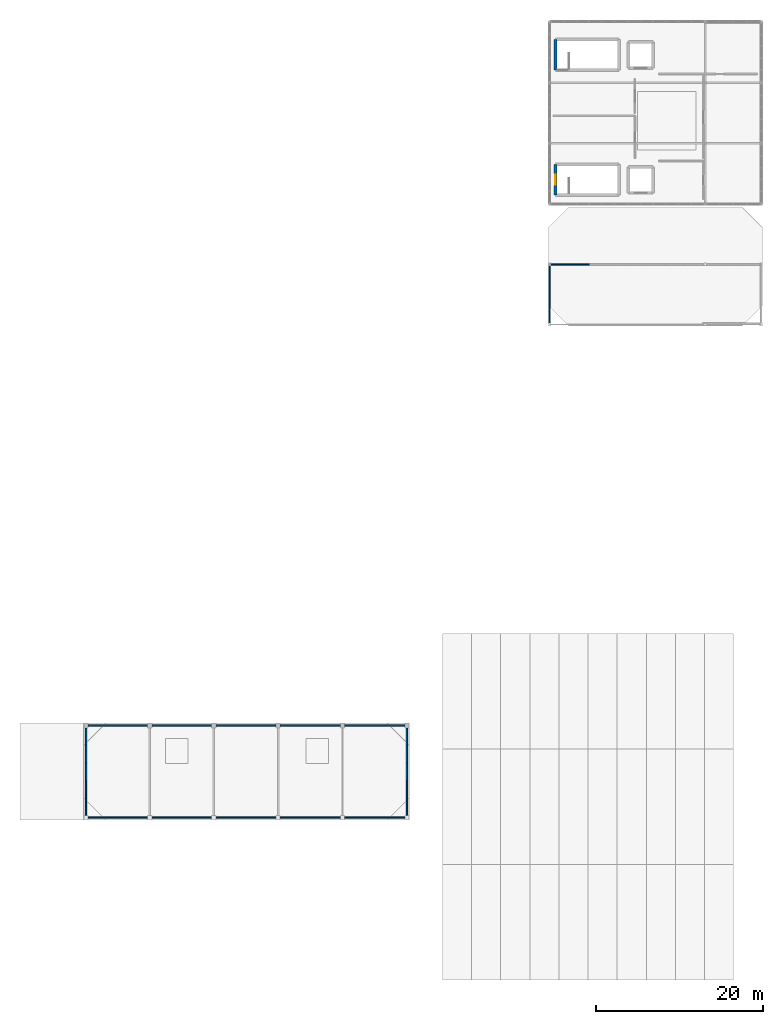
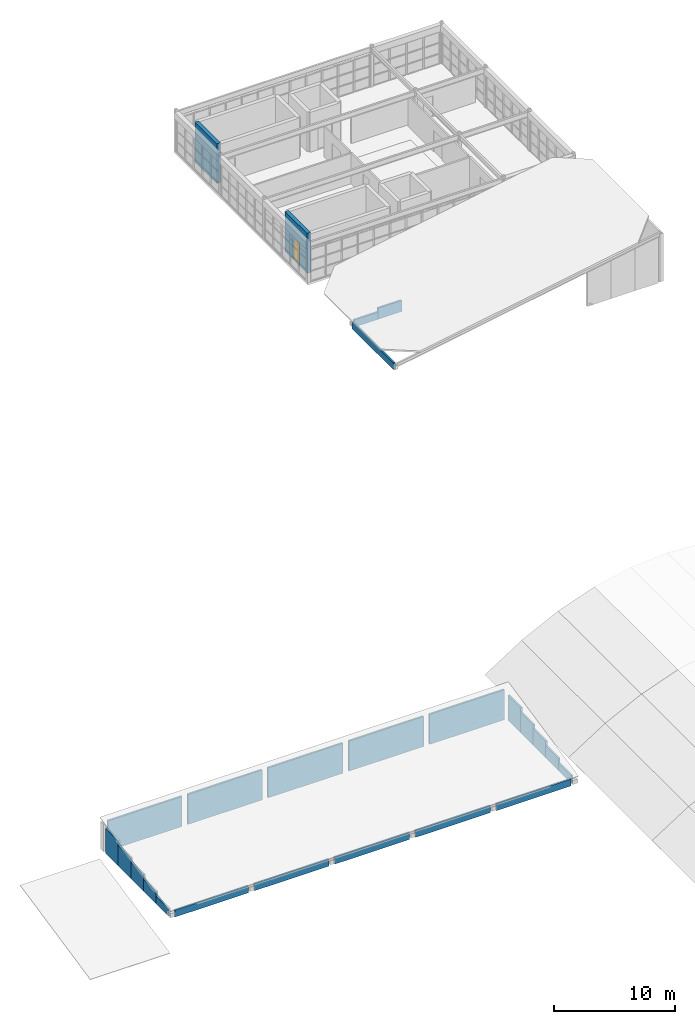
# One storey, part 17 of 19: 25 walls, 1 door, 1 opening.
"""IFC4 building model written with IfcOpenShell, lengths in metres."""

from ifc_helpers import new_model, si_unit, direction, frame, frame_2d, origin, place, context, subcontext, project, spatial, rectangle, extrude, material, layer, layer_set, type_object, element, fill, save


model = new_model("IFC4")

# Units and contexts
model_context = context("Model", 3, precision=1e-05, world=origin(), true_north=direction((0.0, 1.0)))
body_context = subcontext(model_context, "Body", "Model", "MODEL_VIEW")
ifc_project = project(units=[si_unit("LENGTHUNIT", "METRE"), si_unit("AREAUNIT", "SQUARE_METRE"), si_unit("VOLUMEUNIT", "CUBIC_METRE"), si_unit("PLANEANGLEUNIT", "RADIAN"), si_unit("MASSUNIT", "GRAM", prefix="KILO")], contexts=[model_context])

# Site, building, storey
site_placement = place(None, origin())
site = spatial("IfcSite", under=ifc_project, at=site_placement, CompositionType="ELEMENT")
building_placement = place(site_placement, origin())
building = spatial("IfcBuilding", under=site, at=building_placement, Name="Candilejo Ridge Gondola Terminal", CompositionType="ELEMENT")
storey_placement = place(building_placement, frame((0.0, 0.0, 22.800048828125)))
storey = spatial("IfcBuildingStorey", under=building, at=storey_placement, Name="L05", CompositionType="ELEMENT", Elevation=22.800048828125)

# Walls
ifc_material_1 = material(Name="Concrete f'c 35 MPa (C35/45)", Category="concrete")
ifc_layer_1 = layer(ifc_material_1, 0.179931640625)
ifc_layer_set_1 = layer_set([ifc_layer_1], Name="ARC-PARAPET-WALL-180")
wall_type_1 = type_object("IfcWallType", Name="ARC-PARAPET-WALL-180", PredefinedType="PARAPET", material=ifc_layer_set_1)
wall_1_placement = place(storey_placement, frame((94.8798828125, 25.699951171875, -0.199951171875), z_axis=(0.0, 0.0, 1.0), x_axis=(1.0, 0.0, 0.0)))
element("IfcWall", 1, at=wall_1_placement, inside=storey, type_object=wall_type_1, Name="Roof perimeter gable/spandrel wall L05-057", PredefinedType="PARAPET", context=body_context, shape_type="SweptSolid", body=[
    extrude(rectangle(XDim=7.0400390625, YDim=0.179931640625, at=frame_2d((3.52001953125, 0.0))), origin(), (0.0, 0.0, 1.0), 0.6943359375),
])
wall_2_placement = place(storey_placement, frame((102.47998046875, 25.699951171875, -0.199951171875), z_axis=(0.0, 0.0, 1.0), x_axis=(1.0, 0.0, 0.0)))
element("IfcWall", 2, at=wall_2_placement, inside=storey, type_object=wall_type_1, Name="Roof perimeter gable/spandrel wall L05-058", PredefinedType="PARAPET", context=body_context, shape_type="SweptSolid", body=[
    extrude(rectangle(XDim=7.090087890625, YDim=0.179931640625, at=frame_2d((3.544921875, 0.0))), origin(), (0.0, 0.0, 1.0), 0.6943359375),
])
wall_3_placement = place(storey_placement, frame((110.1298828125, 25.699951171875, -0.199951171875), z_axis=(0.0, 0.0, 1.0), x_axis=(1.0, 0.0, 0.0)))
element("IfcWall", 3, at=wall_3_placement, inside=storey, type_object=wall_type_1, Name="Roof perimeter gable/spandrel wall L05-059", PredefinedType="PARAPET", context=body_context, shape_type="SweptSolid", body=[
    extrude(rectangle(XDim=7.14013671875, YDim=0.179931640625, at=frame_2d((3.570068359375, 0.0))), origin(), (0.0, 0.0, 1.0), 0.6943359375),
])
for number, where, z_axis, x_axis, name in (
    (4, (117.830078125, 25.699951171875, -0.199951171875), (0.0, 0.0, 1.0), (1.0, 0.0, 0.0), "Roof perimeter gable/spandrel wall L05-060"),
    (5, (125.530029296875, 25.699951171875, -0.199951171875), (0.0, 0.0, 1.0), (1.0, 0.0, 0.0), "Roof perimeter gable/spandrel wall L05-061"),
):
    element("IfcWall", number, at=place(storey_placement, frame(where, z_axis=z_axis, x_axis=x_axis)), inside=storey, type_object=wall_type_1, Name=name, PredefinedType="PARAPET", context=body_context, shape_type="SweptSolid", body=[
        extrude(rectangle(XDim=7.139892578125, YDim=0.179931640625, at=frame_2d((3.56982421875, 0.0))), origin(), (0.0, 0.0, 1.0), 0.6943359375),
    ])
wall_4_placement = place(storey_placement, frame((94.8798828125, 36.699951171875, -0.199951171875), z_axis=(0.0, 0.0, 1.0), x_axis=(1.0, 0.0, 0.0)))
element("IfcWall", 6, at=wall_4_placement, inside=storey, type_object=wall_type_1, Name="Roof perimeter gable/spandrel wall L05-062", PredefinedType="PARAPET", context=body_context, shape_type="SweptSolid", body=[
    extrude(rectangle(XDim=7.0400390625, YDim=0.179931640625, at=frame_2d((3.52001953125, 0.0))), origin(), (0.0, 0.0, 1.0), 3.032470703125),
])
wall_5_placement = place(storey_placement, frame((102.47998046875, 36.699951171875, -0.199951171875), z_axis=(0.0, 0.0, 1.0), x_axis=(1.0, 0.0, 0.0)))
element("IfcWall", 7, at=wall_5_placement, inside=storey, type_object=wall_type_1, Name="Roof perimeter gable/spandrel wall L05-063", PredefinedType="PARAPET", context=body_context, shape_type="SweptSolid", body=[
    extrude(rectangle(XDim=7.090087890625, YDim=0.179931640625, at=frame_2d((3.544921875, 0.0))), origin(), (0.0, 0.0, 1.0), 3.032470703125),
])
wall_6_placement = place(storey_placement, frame((110.1298828125, 36.699951171875, -0.199951171875), z_axis=(0.0, 0.0, 1.0), x_axis=(1.0, 0.0, 0.0)))
element("IfcWall", 8, at=wall_6_placement, inside=storey, type_object=wall_type_1, Name="Roof perimeter gable/spandrel wall L05-064", PredefinedType="PARAPET", context=body_context, shape_type="SweptSolid", body=[
    extrude(rectangle(XDim=7.14013671875, YDim=0.179931640625, at=frame_2d((3.570068359375, 0.0))), origin(), (0.0, 0.0, 1.0), 3.032470703125),
])
for number, where, z_axis, x_axis, name in (
    (9, (117.830078125, 36.699951171875, -0.199951171875), (0.0, 0.0, 1.0), (1.0, 0.0, 0.0), "Roof perimeter gable/spandrel wall L05-065"),
    (10, (125.530029296875, 36.699951171875, -0.199951171875), (0.0, 0.0, 1.0), (1.0, 0.0, 0.0), "Roof perimeter gable/spandrel wall L05-066"),
):
    element("IfcWall", number, at=place(storey_placement, frame(where, z_axis=z_axis, x_axis=x_axis)), inside=storey, type_object=wall_type_1, Name=name, PredefinedType="PARAPET", context=body_context, shape_type="SweptSolid", body=[
        extrude(rectangle(XDim=7.139892578125, YDim=0.179931640625, at=frame_2d((3.56982421875, 0.0))), origin(), (0.0, 0.0, 1.0), 3.032470703125),
    ])
wall_7_placement = place(storey_placement, frame((94.60009765625, 25.97998046875, -0.199951171875), z_axis=(0.0, 0.0, 1.0), x_axis=(0.0, 1.0, 0.0)))
element("IfcWall", 11, at=wall_7_placement, inside=storey, type_object=wall_type_1, Name="Roof perimeter gable/spandrel wall L05-067", PredefinedType="PARAPET", context=body_context, shape_type="SweptSolid", body=[
    extrude(rectangle(XDim=2.088134765625, YDim=0.179931640625, at=frame_2d((1.0439453125, 0.0))), origin(), (0.0, 0.0, 1.0), 0.75390625),
])
wall_8_placement = place(storey_placement, frame((94.60009765625, 28.068115234375, -0.199951171875), z_axis=(0.0, 0.0, 1.0), x_axis=(0.0, 1.0, 0.0)))
element("IfcWall", 12, at=wall_8_placement, inside=storey, type_object=wall_type_1, Name="Roof perimeter gable/spandrel wall L05-068", PredefinedType="PARAPET", context=body_context, shape_type="SweptSolid", body=[
    extrude(rectangle(XDim=2.087890625, YDim=0.179931640625, at=frame_2d((1.0439453125, 0.0))), origin(), (0.0, 0.0, 1.0), 1.197509765625),
])
wall_9_placement = place(storey_placement, frame((94.60009765625, 30.156005859375, -0.199951171875), z_axis=(0.0, 0.0, 1.0), x_axis=(0.0, 1.0, 0.0)))
element("IfcWall", 13, at=wall_9_placement, inside=storey, type_object=wall_type_1, Name="Roof perimeter gable/spandrel wall L05-069", PredefinedType="PARAPET", context=body_context, shape_type="SweptSolid", body=[
    extrude(rectangle(XDim=2.087890625, YDim=0.179931640625, at=frame_2d((1.0439453125, 0.0))), origin(), (0.0, 0.0, 1.0), 1.6416015625),
])
wall_10_placement = place(storey_placement, frame((94.60009765625, 32.243896484375, -0.199951171875), z_axis=(0.0, 0.0, 1.0), x_axis=(0.0, 1.0, 0.0)))
element("IfcWall", 14, at=wall_10_placement, inside=storey, type_object=wall_type_1, Name="Roof perimeter gable/spandrel wall L05-070", PredefinedType="PARAPET", context=body_context, shape_type="SweptSolid", body=[
    extrude(rectangle(XDim=2.088134765625, YDim=0.179931640625, at=frame_2d((1.0439453125, 0.0))), origin(), (0.0, 0.0, 1.0), 2.085205078125),
])
wall_11_placement = place(storey_placement, frame((94.60009765625, 34.33203125, -0.199951171875), z_axis=(0.0, 0.0, 1.0), x_axis=(0.0, 1.0, 0.0)))
element("IfcWall", 15, at=wall_11_placement, inside=storey, type_object=wall_type_1, Name="Roof perimeter gable/spandrel wall L05-071", PredefinedType="PARAPET", context=body_context, shape_type="SweptSolid", body=[
    extrude(rectangle(XDim=2.087890625, YDim=0.179931640625, at=frame_2d((1.0439453125, 0.0))), origin(), (0.0, 0.0, 1.0), 2.529052734375),
])
wall_12_placement = place(storey_placement, frame((132.949951171875, 25.97998046875, -0.199951171875), z_axis=(0.0, 0.0, 1.0), x_axis=(0.0, 1.0, 0.0)))
element("IfcWall", 16, at=wall_12_placement, inside=storey, type_object=wall_type_1, Name="Roof perimeter gable/spandrel wall L05-072", PredefinedType="PARAPET", context=body_context, shape_type="SweptSolid", body=[
    extrude(rectangle(XDim=2.088134765625, YDim=0.179931640625, at=frame_2d((1.0439453125, 0.0))), origin(), (0.0, 0.0, 1.0), 0.75390625),
])
wall_13_placement = place(storey_placement, frame((132.949951171875, 28.068115234375, -0.199951171875), z_axis=(0.0, 0.0, 1.0), x_axis=(0.0, 1.0, 0.0)))
element("IfcWall", 17, at=wall_13_placement, inside=storey, type_object=wall_type_1, Name="Roof perimeter gable/spandrel wall L05-073", PredefinedType="PARAPET", context=body_context, shape_type="SweptSolid", body=[
    extrude(rectangle(XDim=2.087890625, YDim=0.179931640625, at=frame_2d((1.0439453125, 0.0))), origin(), (0.0, 0.0, 1.0), 1.197509765625),
])
wall_14_placement = place(storey_placement, frame((132.949951171875, 30.156005859375, -0.199951171875), z_axis=(0.0, 0.0, 1.0), x_axis=(0.0, 1.0, 0.0)))
element("IfcWall", 18, at=wall_14_placement, inside=storey, type_object=wall_type_1, Name="Roof perimeter gable/spandrel wall L05-074", PredefinedType="PARAPET", context=body_context, shape_type="SweptSolid", body=[
    extrude(rectangle(XDim=2.087890625, YDim=0.179931640625, at=frame_2d((1.0439453125, 0.0))), origin(), (0.0, 0.0, 1.0), 1.6416015625),
])
wall_15_placement = place(storey_placement, frame((132.949951171875, 32.243896484375, -0.199951171875), z_axis=(0.0, 0.0, 1.0), x_axis=(0.0, 1.0, 0.0)))
element("IfcWall", 19, at=wall_15_placement, inside=storey, type_object=wall_type_1, Name="Roof perimeter gable/spandrel wall L05-075", PredefinedType="PARAPET", context=body_context, shape_type="SweptSolid", body=[
    extrude(rectangle(XDim=2.088134765625, YDim=0.179931640625, at=frame_2d((1.0439453125, 0.0))), origin(), (0.0, 0.0, 1.0), 2.085205078125),
])
wall_16_placement = place(storey_placement, frame((132.949951171875, 34.33203125, -0.199951171875), z_axis=(0.0, 0.0, 1.0), x_axis=(0.0, 1.0, 0.0)))
element("IfcWall", 20, at=wall_16_placement, inside=storey, type_object=wall_type_1, Name="Roof perimeter gable/spandrel wall L05-076", PredefinedType="PARAPET", context=body_context, shape_type="SweptSolid", body=[
    extrude(rectangle(XDim=2.087890625, YDim=0.179931640625, at=frame_2d((1.0439453125, 0.0))), origin(), (0.0, 0.0, 1.0), 2.529052734375),
])
wall_17_placement = place(storey_placement, frame((150.0, 84.830078125, -0.2099609375), z_axis=(0.0, 0.0, 1.0), x_axis=(0.0, 1.0, 0.0)))
element("IfcWall", 21, at=wall_17_placement, inside=storey, type_object=wall_type_1, Name="Roof perimeter gable/spandrel wall L05-138", PredefinedType="PARAPET", context=body_context, shape_type="SweptSolid", body=[
    extrude(rectangle(XDim=6.83984375, YDim=0.179931640625, at=frame_2d((3.419921875, 0.0))), origin(), (0.0, 0.0, 1.0), 0.68359375),
])
wall_18_placement = place(storey_placement, frame((150.179931640625, 91.85009765625, -0.2099609375), z_axis=(0.0, 0.0, 1.0), x_axis=(1.0, 0.0, 0.0)))
element("IfcWall", 22, at=wall_18_placement, inside=storey, type_object=wall_type_1, Name="Roof perimeter gable/spandrel wall L05-143", PredefinedType="PARAPET", context=body_context, shape_type="SweptSolid", body=[
    extrude(rectangle(XDim=2.267333984375, YDim=0.179931640625, at=frame_2d((1.1337890625, 0.0))), origin(), (0.0, 0.0, 1.0), 0.71533203125),
])
wall_19_placement = place(storey_placement, frame((152.447265625, 91.85009765625, -0.2099609375), z_axis=(0.0, 0.0, 1.0), x_axis=(1.0, 0.0, 0.0)))
element("IfcWall", 23, at=wall_19_placement, inside=storey, type_object=wall_type_1, Name="Roof perimeter gable/spandrel wall L05-144", PredefinedType="PARAPET", context=body_context, shape_type="SweptSolid", body=[
    extrude(rectangle(XDim=2.267333984375, YDim=0.179931640625, at=frame_2d((1.1337890625, 0.0))), origin(), (0.0, 0.0, 1.0), 1.114990234375),
])

# Wall, opening, door
ifc_material_2 = material(Name="Concrete f'c 35 MPa (C35/45)", Category="concrete")
ifc_layer_2 = layer(ifc_material_2, 0.35009765625)
ifc_layer_set_2 = layer_set([ifc_layer_2], Name="STR-CORE-WALL-350")
wall_type_2 = type_object("IfcWallType", Name="STR-CORE-WALL-350", PredefinedType="SHEAR", material=ifc_layer_set_2)
wall_20_placement = place(storey_placement, frame((150.699951171875, 103.800048828125, 0.0), z_axis=(0.0, 0.0, 1.0), x_axis=(0.0, -1.0, 0.0)))
wall_20 = element("IfcWall", 24, at=wall_20_placement, inside=storey, type_object=wall_type_2, Name="Core stair shear wall SW-C-V5A-L05-ST-W", PredefinedType="SHEAR", context=body_context, shape_type="SweptSolid", body=[
    extrude(rectangle(XDim=3.650146484375, YDim=0.35009765625, at=frame_2d((1.8251953125, 0.0))), origin(), (0.0, 0.0, 1.0), 4.02001953125),
])
opening_placement = place(wall_20_placement, frame((1.22509765625, 0.0, 0.0)))
opening = element("IfcOpeningElement", 25, at=opening_placement, cuts=wall_20, Name="Opening FD-01", PredefinedType="OPENING", context=body_context, shape_type="SweptSolid", body=[
    extrude(rectangle(XDim=1.199951171875, YDim=2.199951171875, at=frame_2d((0.60009765625, 1.10009765625))), frame((0.0, 0.18505859375, 0.0), z_axis=(0.0, -1.0, 0.0), x_axis=(1.0, 0.0, 0.0)), (0.0, 0.0, 1.0), 0.3701171875),
])
ifc_material_3 = material(Name="Steel ASTM A653 Grade 33 hollow-metal door", Category="steel")
door_type = type_object("IfcDoorType", Name="ARC-DOOR-FD90-1200", OperationType="NOTDEFINED", PredefinedType="DOOR", material=ifc_material_3)
door_placement = place(opening_placement, origin())
door = element("IfcDoor", 26, at=door_placement, inside=storey, type_object=door_type, Name="Fire stair door SDR-037", OperationType="SINGLE_SWING_LEFT", OverallHeight=2.199951171875, OverallWidth=1.199951171875, PredefinedType="DOOR", context=body_context, shape_type="SweptSolid", body=[
    extrude(rectangle(XDim=1.199951171875, YDim=2.199951171875, at=frame_2d((0.60009765625, 1.10009765625))), frame((0.0, 0.02490234375, 0.0), z_axis=(0.0, -1.0, 0.0), x_axis=(1.0, 0.0, 0.0)), (0.0, 0.0, 1.0), 0.050048828125),
])
fill(opening, door)

# Wall
wall_21_placement = place(storey_placement, frame((150.699951171875, 118.699951171875, 0.0), z_axis=(0.0, 0.0, 1.0), x_axis=(0.0, -1.0, 0.0)))
element("IfcWall", 27, at=wall_21_placement, inside=storey, type_object=wall_type_2, Name="Core stair shear wall SW-C-V5B-L05-ST-W", PredefinedType="SHEAR", context=body_context, shape_type="SweptSolid", body=[
    extrude(rectangle(XDim=3.64990234375, YDim=0.35009765625, at=frame_2d((1.824951171875, 0.0))), origin(), (0.0, 0.0, 1.0), 4.02001953125),
])

save(model, "model.ifc")
